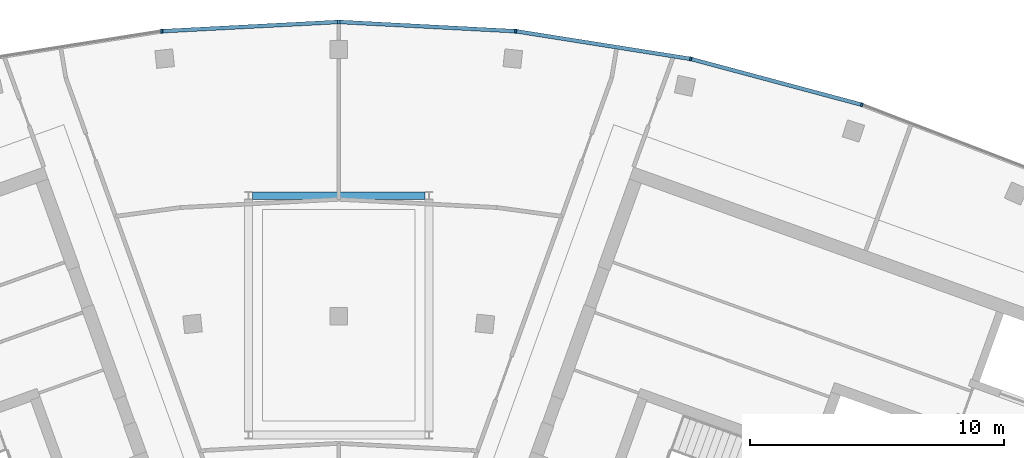
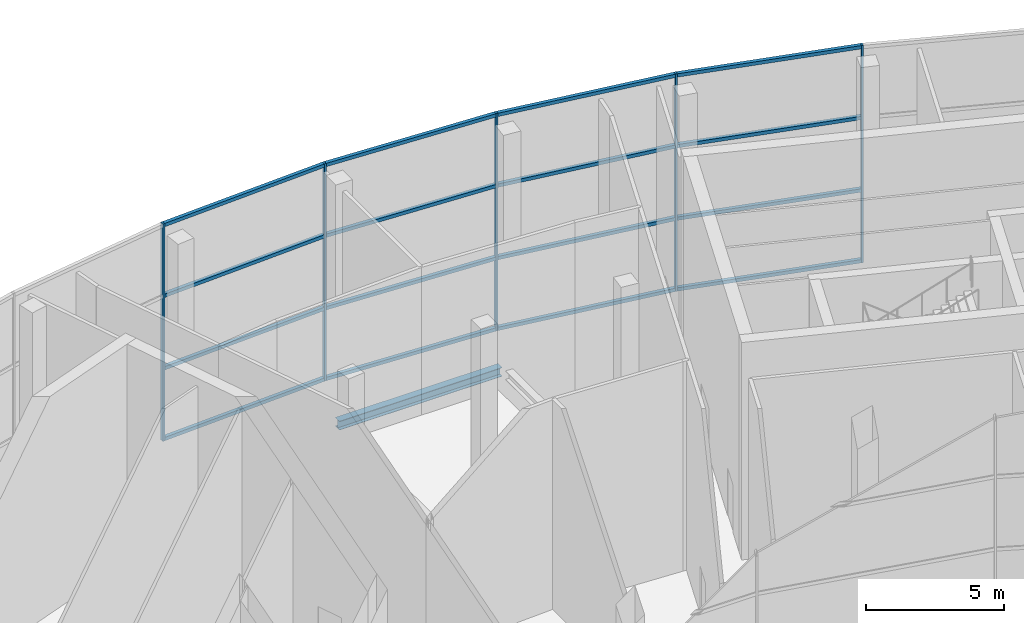
# One storey, part 7 of 20: 22 members, 1 element without a shape of its own.
"""IFC4 building model written with IfcOpenShell, lengths in metres."""

from ifc_helpers import new_model, si_unit, direction, frame, origin, origin_2d, place, context, subcontext, project, spatial, rectangle, i_section, extrude, material, layer, layer_set, material_profile, profile_set, type_object, element, aggregate, save


model = new_model("IFC4")

# Units and contexts
model_context = context("Model", 3, precision=1e-05, world=origin(), true_north=direction((0.0, 1.0)))
body_context = subcontext(model_context, "Body", "Model", "MODEL_VIEW")
ifc_project = project(units=[si_unit("LENGTHUNIT", "METRE"), si_unit("AREAUNIT", "SQUARE_METRE"), si_unit("VOLUMEUNIT", "CUBIC_METRE"), si_unit("PLANEANGLEUNIT", "RADIAN"), si_unit("MASSUNIT", "GRAM", prefix="KILO")], contexts=[model_context])

# Site, building, storey
site_placement = place(None, origin())
site = spatial("IfcSite", under=ifc_project, at=site_placement, CompositionType="ELEMENT")
building_placement = place(site_placement, origin())
building = spatial("IfcBuilding", under=site, at=building_placement, Name="Stone Belt Terrace Tower", CompositionType="ELEMENT")
storey_placement = place(building_placement, frame((0.0, 0.0, 323.0)))
storey = spatial("IfcBuildingStorey", under=building, at=storey_placement, Name="L78", CompositionType="ELEMENT", Elevation=323.0)

# Curtain wall, members
ifc_material_1 = material(Name="Aluminium 6063-T6 anodised frame", Category="aluminium")
ifc_layer = layer(ifc_material_1, 0.14990234375)
ifc_layer_set = layer_set([ifc_layer], Name="CW-E conservatory and damper hall curtain wall")
curtain_wall_type = type_object("IfcCurtainWallType", Name="CW-E conservatory and damper hall curtain wall", PredefinedType="NOTDEFINED", material=ifc_layer_set)
curtain_wall_placement = place(storey_placement, origin())
curtain_wall = element("IfcCurtainWall", 1, at=curtain_wall_placement, inside=storey, type_object=curtain_wall_type, Name="CW-E convex face L78", PredefinedType="NOTDEFINED")
ifc_material_profile_1 = material_profile(ifc_material_1, rectangle(XDim=0.14990234375, YDim=0.080078125, at=origin_2d()), Name="Aluminium 6063-T6 80x150")
ifc_profile_set_1 = profile_set([ifc_material_profile_1], Name="Aluminium 6063-T6 anodised frame")
member_type_1 = type_object("IfcMemberType", Name="CW-E mullion 80 x 150", PredefinedType="MULLION", material=ifc_profile_set_1)
member_1_placement = place(storey_placement, frame((20.57275390625, 63.316650390625, 0.0), z_axis=(0.0, 0.0, 1.0), x_axis=(-0.309016994375, -0.951056516295, 0.0)))
member_1 = element("IfcMember", 2, at=member_1_placement, type_object=member_type_1, Name="CW-E mullion 5", PredefinedType="MULLION", context=body_context, shape_type="SweptSolid", body=[
    extrude(rectangle(XDim=0.14990234375, YDim=0.080078125, at=origin_2d()), origin(), (0.0, 0.0, 1.0), 9.60009765625),
])
member_2_placement = place(storey_placement, frame((13.841796875, 65.120361328125, 0.0), z_axis=(0.0, 0.0, 1.0), x_axis=(-0.207911690818, -0.978147600734, 0.0)))
member_2 = element("IfcMember", 3, at=member_2_placement, type_object=member_type_1, Name="CW-E mullion 6", PredefinedType="MULLION", context=body_context, shape_type="SweptSolid", body=[
    extrude(rectangle(XDim=0.14990234375, YDim=0.080078125, at=origin_2d()), origin(), (0.0, 0.0, 1.0), 9.60009765625),
])
member_3_placement = place(storey_placement, frame((6.958984375, 66.21044921875, 0.0), z_axis=(0.0, 0.0, 1.0), x_axis=(-0.104528463268, -0.994521895368, 0.0)))
member_3 = element("IfcMember", 4, at=member_3_placement, type_object=member_type_1, Name="CW-E mullion 7", PredefinedType="MULLION", context=body_context, shape_type="SweptSolid", body=[
    extrude(rectangle(XDim=0.14990234375, YDim=0.080078125, at=origin_2d()), origin(), (0.0, 0.0, 1.0), 9.60009765625),
])
member_4_placement = place(storey_placement, frame((0.0, 66.5751953125, 0.0), z_axis=(0.0, 0.0, 1.0), x_axis=(0.0, -1.0, 0.0)))
member_4 = element("IfcMember", 5, at=member_4_placement, type_object=member_type_1, Name="CW-E mullion 8", PredefinedType="MULLION", context=body_context, shape_type="SweptSolid", body=[
    extrude(rectangle(XDim=0.14990234375, YDim=0.080078125, at=origin_2d()), origin(), (0.0, 0.0, 1.0), 9.60009765625),
])
member_5_placement = place(storey_placement, frame((-6.958984375, 66.21044921875, 0.0), z_axis=(0.0, 0.0, 1.0), x_axis=(0.104528463268, -0.994521895368, 0.0)))
member_5 = element("IfcMember", 6, at=member_5_placement, type_object=member_type_1, Name="CW-E mullion 9", PredefinedType="MULLION", context=body_context, shape_type="SweptSolid", body=[
    extrude(rectangle(XDim=0.14990234375, YDim=0.080078125, at=origin_2d()), origin(), (0.0, 0.0, 1.0), 9.60009765625),
])
ifc_material_profile_2 = material_profile(ifc_material_1, rectangle(XDim=0.14990234375, YDim=0.14990234375, at=origin_2d()), Name="Aluminium 6063-T6 150x150")
ifc_profile_set_2 = profile_set([ifc_material_profile_2], Name="Aluminium 6063-T6 anodised frame")
member_type_2 = type_object("IfcMemberType", Name="CW-E transom 150 x 150", PredefinedType="USERDEFINED", material=ifc_profile_set_2)
member_6_placement = place(storey_placement, frame((20.530517578125, 63.328125, 0.074951171875), z_axis=(-0.96593158118, 0.2587975666, 0.0), x_axis=(-0.2587975666, -0.96593158118, 0.0)))
member_6 = element("IfcMember", 7, at=member_6_placement, type_object=member_type_2, Name="CW-E transom 5.1", ObjectType="TRANSOM", PredefinedType="USERDEFINED", context=body_context, shape_type="SweptSolid", body=[
    extrude(rectangle(XDim=0.14990234375, YDim=0.14990234375, at=origin_2d()), origin(), (0.0, 0.0, 1.0), 6.880859375),
])
member_7_placement = place(storey_placement, frame((20.530517578125, 63.328125, 3.199951171875), z_axis=(-0.96593158118, 0.2587975666, 0.0), x_axis=(-0.2587975666, -0.96593158118, 0.0)))
member_7 = element("IfcMember", 8, at=member_7_placement, type_object=member_type_2, Name="CW-E transom 5.2", ObjectType="TRANSOM", PredefinedType="USERDEFINED", context=body_context, shape_type="SweptSolid", body=[
    extrude(rectangle(XDim=0.14990234375, YDim=0.14990234375, at=origin_2d()), origin(), (0.0, 0.0, 1.0), 6.880859375),
])
member_8_placement = place(storey_placement, frame((20.530517578125, 63.328125, 6.39990234375), z_axis=(-0.96593158118, 0.2587975666, 0.0), x_axis=(-0.2587975666, -0.96593158118, 0.0)))
member_8 = element("IfcMember", 9, at=member_8_placement, type_object=member_type_2, Name="CW-E transom 5.3", ObjectType="TRANSOM", PredefinedType="USERDEFINED", context=body_context, shape_type="SweptSolid", body=[
    extrude(rectangle(XDim=0.14990234375, YDim=0.14990234375, at=origin_2d()), origin(), (0.0, 0.0, 1.0), 6.880859375),
])
member_9_placement = place(storey_placement, frame((20.530517578125, 63.328125, 9.52490234375), z_axis=(-0.96593158118, 0.2587975666, 0.0), x_axis=(-0.2587975666, -0.96593158118, 0.0)))
member_9 = element("IfcMember", 10, at=member_9_placement, type_object=member_type_2, Name="CW-E transom 5.4", ObjectType="TRANSOM", PredefinedType="USERDEFINED", context=body_context, shape_type="SweptSolid", body=[
    extrude(rectangle(XDim=0.14990234375, YDim=0.14990234375, at=origin_2d()), origin(), (0.0, 0.0, 1.0), 6.880859375),
])
member_10_placement = place(storey_placement, frame((13.79833984375, 65.127197265625, 0.074951171875), z_axis=(-0.987687185337, 0.156441758879, 0.0), x_axis=(-0.156441758879, -0.987687185337, 0.0)))
member_10 = element("IfcMember", 11, at=member_10_placement, type_object=member_type_2, Name="CW-E transom 6.1", ObjectType="TRANSOM", PredefinedType="USERDEFINED", context=body_context, shape_type="SweptSolid", body=[
    extrude(rectangle(XDim=0.14990234375, YDim=0.14990234375, at=origin_2d()), origin(), (0.0, 0.0, 1.0), 6.880615234375),
])
member_11_placement = place(storey_placement, frame((13.79833984375, 65.127197265625, 3.199951171875), z_axis=(-0.987687185337, 0.156441758879, 0.0), x_axis=(-0.156441758879, -0.987687185337, 0.0)))
member_11 = element("IfcMember", 12, at=member_11_placement, type_object=member_type_2, Name="CW-E transom 6.2", ObjectType="TRANSOM", PredefinedType="USERDEFINED", context=body_context, shape_type="SweptSolid", body=[
    extrude(rectangle(XDim=0.14990234375, YDim=0.14990234375, at=origin_2d()), origin(), (0.0, 0.0, 1.0), 6.880615234375),
])
member_12_placement = place(storey_placement, frame((13.79833984375, 65.127197265625, 6.39990234375), z_axis=(-0.987687185337, 0.156441758879, 0.0), x_axis=(-0.156441758879, -0.987687185337, 0.0)))
member_12 = element("IfcMember", 13, at=member_12_placement, type_object=member_type_2, Name="CW-E transom 6.3", ObjectType="TRANSOM", PredefinedType="USERDEFINED", context=body_context, shape_type="SweptSolid", body=[
    extrude(rectangle(XDim=0.14990234375, YDim=0.14990234375, at=origin_2d()), origin(), (0.0, 0.0, 1.0), 6.880615234375),
])
member_13_placement = place(storey_placement, frame((13.79833984375, 65.127197265625, 9.52490234375), z_axis=(-0.987687185337, 0.156441758879, 0.0), x_axis=(-0.156441758879, -0.987687185337, 0.0)))
member_13 = element("IfcMember", 14, at=member_13_placement, type_object=member_type_2, Name="CW-E transom 6.4", ObjectType="TRANSOM", PredefinedType="USERDEFINED", context=body_context, shape_type="SweptSolid", body=[
    extrude(rectangle(XDim=0.14990234375, YDim=0.14990234375, at=origin_2d()), origin(), (0.0, 0.0, 1.0), 6.880615234375),
])
member_14_placement = place(storey_placement, frame((6.915283203125, 66.212646484375, 0.074951171875), z_axis=(-0.998629663361, 0.052333502219, 0.0), x_axis=(-0.052333502219, -0.998629663361, 0.0)))
member_14 = element("IfcMember", 15, at=member_14_placement, type_object=member_type_2, Name="CW-E transom 7.1", ObjectType="TRANSOM", PredefinedType="USERDEFINED", context=body_context, shape_type="SweptSolid", body=[
    extrude(rectangle(XDim=0.14990234375, YDim=0.14990234375, at=origin_2d()), origin(), (0.0, 0.0, 1.0), 6.881103515625),
])
member_15_placement = place(storey_placement, frame((6.915283203125, 66.212646484375, 3.199951171875), z_axis=(-0.998629663361, 0.052333502219, 0.0), x_axis=(-0.052333502219, -0.998629663361, 0.0)))
member_15 = element("IfcMember", 16, at=member_15_placement, type_object=member_type_2, Name="CW-E transom 7.2", ObjectType="TRANSOM", PredefinedType="USERDEFINED", context=body_context, shape_type="SweptSolid", body=[
    extrude(rectangle(XDim=0.14990234375, YDim=0.14990234375, at=origin_2d()), origin(), (0.0, 0.0, 1.0), 6.881103515625),
])
member_16_placement = place(storey_placement, frame((6.915283203125, 66.212646484375, 6.39990234375), z_axis=(-0.998629663361, 0.052333502219, 0.0), x_axis=(-0.052333502219, -0.998629663361, 0.0)))
member_16 = element("IfcMember", 17, at=member_16_placement, type_object=member_type_2, Name="CW-E transom 7.3", ObjectType="TRANSOM", PredefinedType="USERDEFINED", context=body_context, shape_type="SweptSolid", body=[
    extrude(rectangle(XDim=0.14990234375, YDim=0.14990234375, at=origin_2d()), origin(), (0.0, 0.0, 1.0), 6.881103515625),
])
member_17_placement = place(storey_placement, frame((6.915283203125, 66.212646484375, 9.52490234375), z_axis=(-0.998629663361, 0.052333502219, 0.0), x_axis=(-0.052333502219, -0.998629663361, 0.0)))
member_17 = element("IfcMember", 18, at=member_17_placement, type_object=member_type_2, Name="CW-E transom 7.4", ObjectType="TRANSOM", PredefinedType="USERDEFINED", context=body_context, shape_type="SweptSolid", body=[
    extrude(rectangle(XDim=0.14990234375, YDim=0.14990234375, at=origin_2d()), origin(), (0.0, 0.0, 1.0), 6.881103515625),
])
member_18_placement = place(storey_placement, frame((-0.043701171875, 66.57275390625, 0.074951171875), z_axis=(-0.998629663361, -0.052333502219, 0.0), x_axis=(0.052333502219, -0.998629663361, 0.0)))
member_18 = element("IfcMember", 19, at=member_18_placement, type_object=member_type_2, Name="CW-E transom 8.1", ObjectType="TRANSOM", PredefinedType="USERDEFINED", context=body_context, shape_type="SweptSolid", body=[
    extrude(rectangle(XDim=0.14990234375, YDim=0.14990234375, at=origin_2d()), origin(), (0.0, 0.0, 1.0), 6.881103515625),
])
member_19_placement = place(storey_placement, frame((-0.043701171875, 66.57275390625, 3.199951171875), z_axis=(-0.998629663361, -0.052333502219, 0.0), x_axis=(0.052333502219, -0.998629663361, 0.0)))
member_19 = element("IfcMember", 20, at=member_19_placement, type_object=member_type_2, Name="CW-E transom 8.2", ObjectType="TRANSOM", PredefinedType="USERDEFINED", context=body_context, shape_type="SweptSolid", body=[
    extrude(rectangle(XDim=0.14990234375, YDim=0.14990234375, at=origin_2d()), origin(), (0.0, 0.0, 1.0), 6.881103515625),
])
member_20_placement = place(storey_placement, frame((-0.043701171875, 66.57275390625, 6.39990234375), z_axis=(-0.998629663361, -0.052333502219, 0.0), x_axis=(0.052333502219, -0.998629663361, 0.0)))
member_20 = element("IfcMember", 21, at=member_20_placement, type_object=member_type_2, Name="CW-E transom 8.3", ObjectType="TRANSOM", PredefinedType="USERDEFINED", context=body_context, shape_type="SweptSolid", body=[
    extrude(rectangle(XDim=0.14990234375, YDim=0.14990234375, at=origin_2d()), origin(), (0.0, 0.0, 1.0), 6.881103515625),
])
member_21_placement = place(storey_placement, frame((-0.043701171875, 66.57275390625, 9.52490234375), z_axis=(-0.998629663361, -0.052333502219, 0.0), x_axis=(0.052333502219, -0.998629663361, 0.0)))
member_21 = element("IfcMember", 22, at=member_21_placement, type_object=member_type_2, Name="CW-E transom 8.4", ObjectType="TRANSOM", PredefinedType="USERDEFINED", context=body_context, shape_type="SweptSolid", body=[
    extrude(rectangle(XDim=0.14990234375, YDim=0.14990234375, at=origin_2d()), origin(), (0.0, 0.0, 1.0), 6.881103515625),
])
aggregate(curtain_wall, [member_1, member_2, member_3, member_4, member_5, member_6, member_7, member_8, member_9, member_10, member_11, member_12, member_13, member_14, member_15, member_16, member_17, member_18, member_19, member_20, member_21])

# Member
ifc_material_2 = material(Name="Structural steel C345", Category="steel")
ifc_material_profile_3 = material_profile(ifc_material_2, i_section(OverallWidth=0.300048828125, OverallDepth=0.389892578125, WebThickness=0.010009765625, FlangeThickness=0.01611328125, at=origin_2d()), Name="I 40Sh2")
ifc_profile_set_3 = profile_set([ifc_material_profile_3], Name="Structural steel C345")
member_type_3 = type_object("IfcMemberType", Name="Damper restraint ring I 40Sh2", PredefinedType="CHORD", material=ifc_profile_set_3)
member_22_placement = place(storey_placement, frame((3.39990234375, 59.739990234375, 3.405029296875), z_axis=(-1.0, 0.0, 0.0), x_axis=(0.0, -1.0, 0.0)))
element("IfcMember", 23, at=member_22_placement, inside=storey, type_object=member_type_3, Name="Damper restraint ring 3", PredefinedType="CHORD", context=body_context, shape_type="SweptSolid", body=[
    extrude(i_section(OverallWidth=0.300048828125, OverallDepth=0.389892578125, WebThickness=0.010009765625, FlangeThickness=0.01611328125, at=origin_2d()), origin(), (0.0, 0.0, 1.0), 6.7998046875),
])

save(model, "model.ifc")
